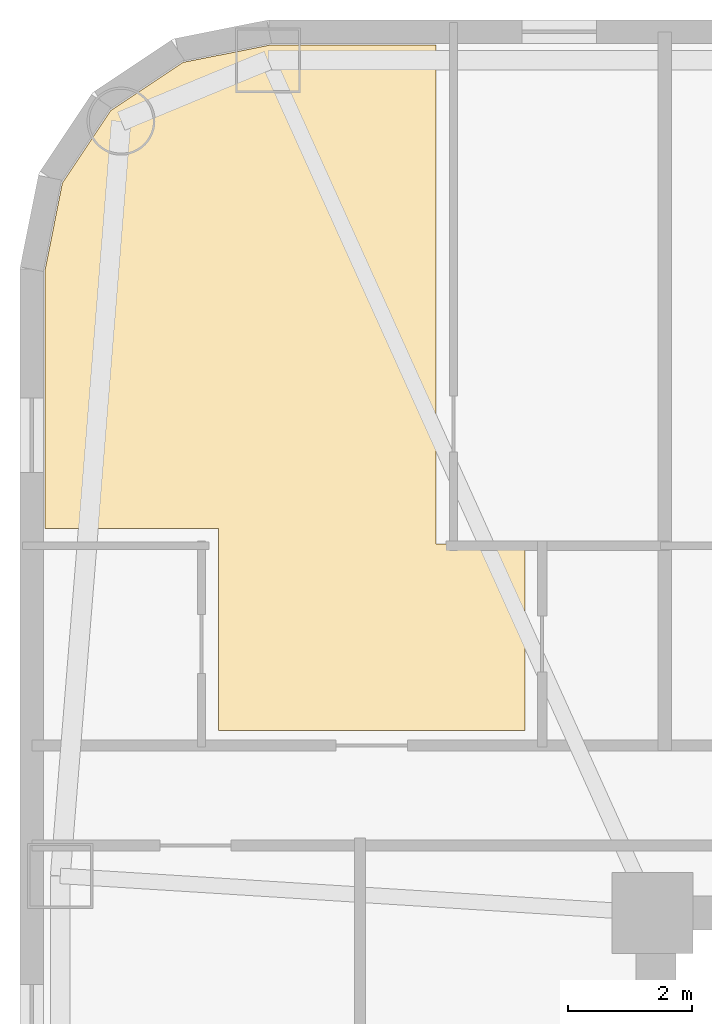
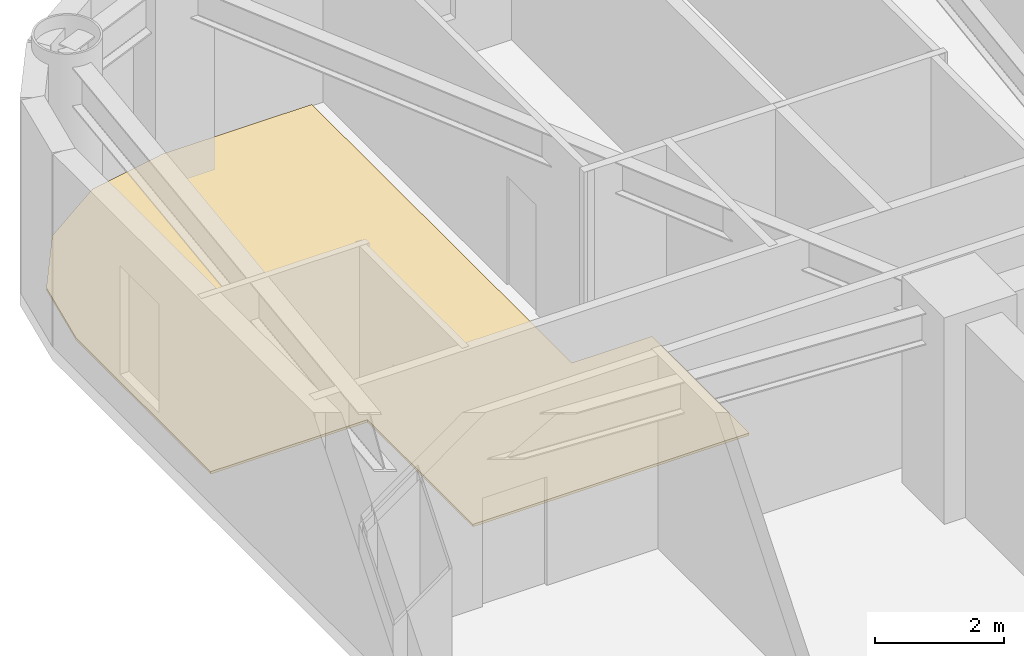
# One storey, part 12 of 12: 1 covering.
"""IFC4 building model written with IfcOpenShell, lengths in metres."""

import ifcopenshell
import ifcopenshell.guid

model = None  # the IFC model being written
_history = None  # IfcOwnerHistory: only IFC2X3 demands one
_inside = {}  # id of a spatial element -> (the spatial element, [elements in it])
_under = {}  # id of a project, library or spatial element -> (it, [spatial elements below it])
_declared = {}  # id of a project -> (the project, [libraries it declares])
_typed = {}  # id of a type object -> (the type object, [elements of that type])
_made_of = {}  # id of a material, layer set ... -> (it, [elements and type objects made of it])


def new_model(schema):
    """Start an empty IFC model of exactly this schema.

    Asked for "IFC4X3", IfcOpenShell would pick the latest addendum, in which some entities
    have other attributes; the version numbers below select the first issue.
    IFC2X3 requires an IfcOwnerHistory on every rooted entity: one is made here for all.
    """
    global model, _history
    if schema == "IFC4X3":
        model = ifcopenshell.file(schema_version=(4, 3, 0, 0))
    else:
        model = ifcopenshell.file(schema=schema)
    _inside.clear()
    _under.clear()
    _declared.clear()
    _typed.clear()
    _made_of.clear()
    _history = None
    if model.schema == "IFC2X3":
        org = make("IfcOrganization", Name="unknown")
        user = make(
            "IfcPersonAndOrganization",
            ThePerson=make("IfcPerson", FamilyName="unknown"),
            TheOrganization=org,
        )
        app = make(
            "IfcApplication",
            ApplicationDeveloper=org,
            Version="unknown",
            ApplicationFullName="unknown",
            ApplicationIdentifier="unknown",
        )
        _history = make(
            "IfcOwnerHistory",
            OwningUser=user,
            OwningApplication=app,
            ChangeAction="ADDED",
            CreationDate=0,
        )
    return model


def make(cls, **values):
    """One entity of the class cls with the attributes given. An attribute that is None is left unset."""
    return model.create_entity(
        cls, **{name: value for name, value in values.items() if value is not None}
    )


def rooted(cls, **values):
    """An entity with a GlobalId (a new one), such as an element, a storey or a relation."""
    return make(cls, GlobalId=ifcopenshell.guid.new(), OwnerHistory=_history, **values)


def si_unit(unit_type, name, prefix=None):
    """IfcSIUnit, for example si_unit("LENGTHUNIT", "METRE", prefix="MILLI")."""
    return make("IfcSIUnit", UnitType=unit_type, Prefix=prefix, Name=name)


def assignment(units):
    """IfcUnitAssignment: the units of a project."""
    return None if units is None else make("IfcUnitAssignment", Units=units)


def point(xyz):
    """IfcCartesianPoint."""
    return None if xyz is None else make("IfcCartesianPoint", Coordinates=xyz)


def direction(xyz):
    """IfcDirection."""
    return None if xyz is None else make("IfcDirection", DirectionRatios=xyz)


def frame(location, z_axis=None, x_axis=None):
    """IfcAxis2Placement3D, a coordinate frame: its origin and axes. An axis left out is left unset."""
    return make(
        "IfcAxis2Placement3D",
        Location=point(location),
        Axis=direction(z_axis),
        RefDirection=direction(x_axis),
    )


def origin():
    """The frame at (0, 0, 0) with its axes left unset."""
    return frame((0.0, 0.0, 0.0))


def place(relative_to, where):
    """IfcLocalPlacement: puts the frame where relative to a parent placement (None: the world)."""
    return make(
        "IfcLocalPlacement", PlacementRelTo=relative_to, RelativePlacement=where
    )


def context(
    kind, dimensions, precision=None, world=None, true_north=None, identifier=None
):
    """IfcGeometricRepresentationContext, for example the 3D "Model" context."""
    return make(
        "IfcGeometricRepresentationContext",
        ContextIdentifier=identifier,
        ContextType=kind,
        CoordinateSpaceDimension=dimensions,
        Precision=precision,
        WorldCoordinateSystem=world,
        TrueNorth=true_north,
    )


def subcontext(parent, identifier, kind, view, scale=None):
    """IfcGeometricRepresentationSubContext, for example "Body" below "Model"."""
    return make(
        "IfcGeometricRepresentationSubContext",
        ContextIdentifier=identifier,
        ContextType=kind,
        ParentContext=parent,
        TargetScale=scale,
        TargetView=view,
    )


def project(units=None, contexts=None):
    """IfcProject with its units and contexts."""
    return rooted(
        "IfcProject",
        Name="project",
        RepresentationContexts=contexts,
        UnitsInContext=assignment(units),
    )


def spatial(cls, under=None, at=None, **own):
    """A site, building, storey or space (cls), placed at a placement, below another one or the project."""
    s = rooted(cls, ObjectPlacement=at, **own)
    if under is not None:
        _under.setdefault(under.id(), (under, []))[1].append(s)
    return s


def polyline(points):
    """IfcPolyline through the points."""
    return make("IfcPolyline", Points=[point(p) for p in points])


def outline(outer, holes=None, kind="AREA"):
    """IfcArbitraryClosedProfileDef: a profile drawn as a closed curve; with holes, ...WithVoids."""
    if holes is None:
        return make("IfcArbitraryClosedProfileDef", ProfileType=kind, OuterCurve=outer)
    return make(
        "IfcArbitraryProfileDefWithVoids",
        ProfileType=kind,
        OuterCurve=outer,
        InnerCurves=holes,
    )


def extrude(swept, where, along, depth):
    """IfcExtrudedAreaSolid: the profile swept, set in the frame where, extruded along a direction by depth."""
    return make(
        "IfcExtrudedAreaSolid",
        SweptArea=swept,
        Position=where,
        ExtrudedDirection=direction(along),
        Depth=depth,
    )


def shape(context_of_items, identifier, shape_type, items):
    """IfcShapeRepresentation: the items that make up one representation, for example the "Body"."""
    return make(
        "IfcShapeRepresentation",
        ContextOfItems=context_of_items,
        RepresentationIdentifier=identifier,
        RepresentationType=shape_type,
        Items=items,
    )


def material(Name=None, Category=None):
    """IfcMaterial."""
    return make("IfcMaterial", Name=Name, Category=Category)


def layer(
    of_material, thickness, ventilated=None, Name=None, Category=None, Priority=None
):
    """IfcMaterialLayer: one layer of a wall or slab, of a material (None: an air gap)."""
    return make(
        "IfcMaterialLayer",
        Material=of_material,
        LayerThickness=thickness,
        IsVentilated=ventilated,
        Name=Name,
        Category=Category,
        Priority=Priority,
    )


def layer_set(layers, Name=None):
    """IfcMaterialLayerSet."""
    return make("IfcMaterialLayerSet", MaterialLayers=layers, LayerSetName=Name)


def made_of(thing, what):
    """Note that an element or type object is made of a material, layer set ...; save() writes the relation."""
    if what is not None:
        _made_of.setdefault(what.id(), (what, []))[1].append(thing)
    return thing


def type_object(cls, material=None, **own):
    """A type object (cls), such as IfcWallType, which elements share."""
    return made_of(rooted(cls, **own), material)


def element(
    cls,
    number,
    at=None,
    inside=None,
    cuts=None,
    type_object=None,
    material=None,
    context=None,
    identifier="Body",
    shape_type=None,
    held_by="IfcProductDefinitionShape",
    body=None,
    shapes=None,
    **own,
):
    """One element of the class cls, such as IfcWall. Its Tag is "e" and its number.

    at: its placement. inside: the storey or other place that contains it. cuts: it is an
    opening in that element (IfcRelVoidsElement). A single representation is given by context,
    identifier, shape_type and body (its items); several are given by shapes. held_by: the class
    of the entity that holds the representations. save() writes the other relations.
    """
    e = rooted(cls, Tag="e%d" % number, ObjectPlacement=at, **own)
    if body is not None:
        shapes = [shape(context, identifier, shape_type, body)]
    if shapes is not None:
        e.Representation = make(held_by, Representations=shapes)
    if inside is not None:
        _inside.setdefault(inside.id(), (inside, []))[1].append(e)
    if cuts is not None:
        rooted(
            "IfcRelVoidsElement", RelatingBuildingElement=cuts, RelatedOpeningElement=e
        )
    if type_object is not None:
        _typed.setdefault(type_object.id(), (type_object, []))[1].append(e)
    return made_of(e, material)


def aggregate(whole, parts):
    """IfcRelAggregates: a whole, such as a stair, and the parts it consists of."""
    return rooted("IfcRelAggregates", RelatingObject=whole, RelatedObjects=parts)


def save(model, path):
    """Write the relations noted so far, then the file.

    IfcRelAggregates (storeys below a building ...), IfcRelContainedInSpatialStructure (elements
    in a storey), IfcRelDefinesByType, IfcRelAssociatesMaterial and IfcRelDeclares: one each for
    every whole, place, type object, material and project.
    """
    for whole, parts in _under.values():
        aggregate(whole, parts)
    for where, things in _inside.values():
        rooted(
            "IfcRelContainedInSpatialStructure",
            RelatedElements=things,
            RelatingStructure=where,
        )
    for kind, things in _typed.values():
        rooted("IfcRelDefinesByType", RelatedObjects=things, RelatingType=kind)
    for what, things in _made_of.values():
        rooted("IfcRelAssociatesMaterial", RelatedObjects=things, RelatingMaterial=what)
    for by, libraries in _declared.values():
        rooted("IfcRelDeclares", RelatingContext=by, RelatedDefinitions=libraries)
    model.write(path)


model = new_model("IFC4")

# Units and contexts
model_context = context("Model", 3, precision=1e-05, world=origin(), true_north=direction((0.0, 1.0)))
body_context = subcontext(model_context, "Body", "Model", "MODEL_VIEW")
ifc_project = project(units=[si_unit("LENGTHUNIT", "METRE"), si_unit("AREAUNIT", "SQUARE_METRE"), si_unit("VOLUMEUNIT", "CUBIC_METRE"), si_unit("PLANEANGLEUNIT", "RADIAN"), si_unit("MASSUNIT", "GRAM", prefix="KILO")], contexts=[model_context])

# Site, building, storey
site_placement = place(None, origin())
site = spatial("IfcSite", under=ifc_project, at=site_placement, CompositionType="ELEMENT")
building_placement = place(site_placement, origin())
building = spatial("IfcBuilding", under=site, at=building_placement, Name="Voryun Gate Residences", CompositionType="ELEMENT")
storey_placement = place(building_placement, frame((0.0, 0.0, 101.39990234375)))
storey = spatial("IfcBuildingStorey", under=building, at=storey_placement, Name="L24", CompositionType="ELEMENT", Elevation=101.39990234375)

# Covering
ifc_material = material(Name="Architectural oak flooring")
ifc_layer = layer(ifc_material, 0.044921875, Name="COV_FLOOR_ONDOL_OAK")
ifc_layer_set = layer_set([ifc_layer], Name="Architectural oak flooring")
covering_type = type_object("IfcCoveringType", Name="COV_FLOOR_ONDOL_OAK", PredefinedType="FLOORING", material=ifc_layer_set)
covering_placement = place(storey_placement, origin())
element("IfcCovering", 1, at=covering_placement, inside=storey, type_object=covering_type, Name="Ondol oak floor FLR-L24-01", PredefinedType="FLOORING", context=body_context, shape_type="SweptSolid", body=[
    extrude(outline(polyline([(-28.99755859375, 17.760498046875), (-28.716552734375, 19.173583984375), (-27.938232421875, 20.33837890625), (-26.773681640625, 21.116455078125), (-25.3603515625, 21.397705078125), (-22.68994140625, 21.397705078125), (-22.68994140625, 13.35009765625), (-21.260009765625, 13.35009765625), (-21.260009765625, 10.340087890625), (-26.195068359375, 10.340087890625), (-26.195068359375, 13.60009765625), (-28.99755859375, 13.60009765625), (-28.99755859375, 17.760498046875)])), origin(), (0.0, 0.0, 1.0), 0.045166015625),
])

save(model, "model.ifc")
